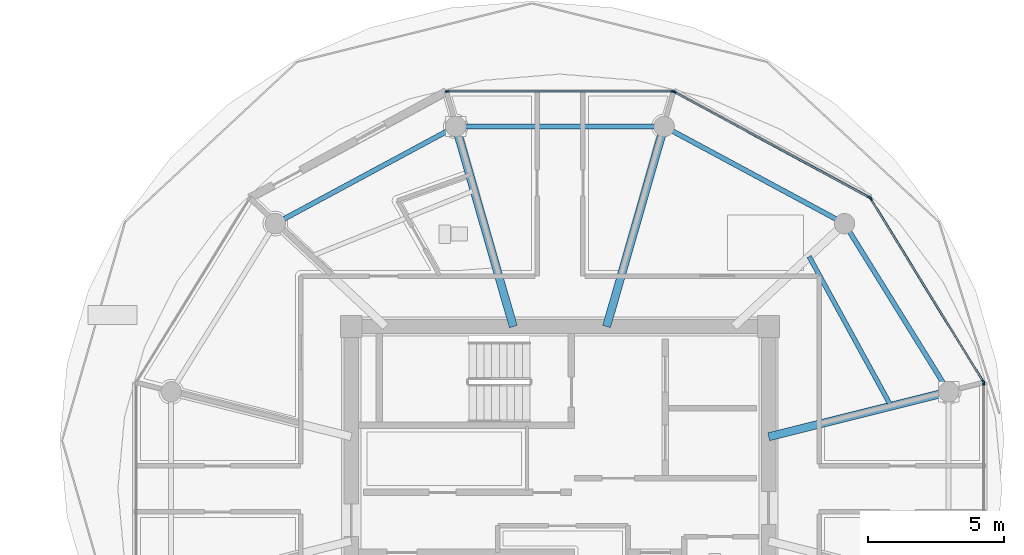
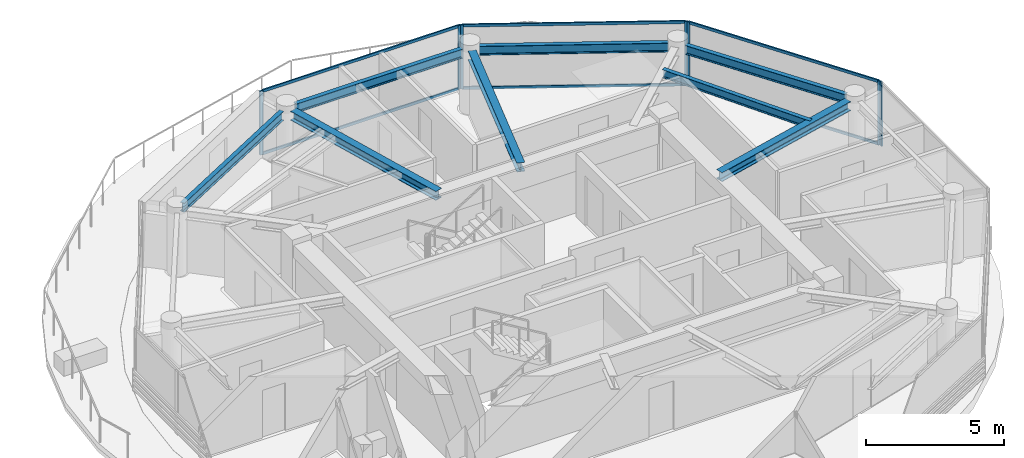
# One storey, part 7 of 28: 13 members, 8 beams, 4 elements without a shape of their own.
"""IFC4 building model written with IfcOpenShell, lengths in metres."""

from ifc_helpers import new_model, si_unit, direction, frame, origin, origin_2d, place, context, subcontext, project, spatial, rectangle, i_section, extrude, source, transform, mapped, material, layer, layer_set, material_profile, profile_set, type_object, type_shapes, element, aggregate, save


model = new_model("IFC4")

# Units and contexts
model_context = context("Model", 3, precision=1e-05, world=origin(), true_north=direction((0.0, 1.0)))
body_context = subcontext(model_context, "Body", "Model", "MODEL_VIEW")
ifc_project = project(units=[si_unit("LENGTHUNIT", "METRE"), si_unit("AREAUNIT", "SQUARE_METRE"), si_unit("VOLUMEUNIT", "CUBIC_METRE"), si_unit("PLANEANGLEUNIT", "RADIAN"), si_unit("MASSUNIT", "GRAM", prefix="KILO")], contexts=[model_context])

# Site, building, storey
site_placement = place(None, origin())
site = spatial("IfcSite", under=ifc_project, at=site_placement, CompositionType="ELEMENT")
building_placement = place(site_placement, origin())
building = spatial("IfcBuilding", under=site, at=building_placement, Name="Norrkilde Senior Care Towers", CompositionType="ELEMENT")
storey_placement = place(building_placement, frame((0.0, 0.0, 190.64990234375)))
storey = spatial("IfcBuildingStorey", under=building, at=storey_placement, Name="L59", CompositionType="ELEMENT", Elevation=190.64990234375)

# Beams
ifc_material_1 = material(Name="Steel S355", Category="steel")
ifc_material_profile_1 = material_profile(ifc_material_1, i_section(OverallWidth=0.179931640625, OverallDepth=0.39990234375, WebThickness=0.008544921875, FlangeThickness=0.013427734375, FilletRadius=0.02099609375, at=origin_2d()), Name="IPE 400")
ifc_profile_set_1 = profile_set([ifc_material_profile_1], Name="Steel S355")
beam_type_1 = type_object("IfcBeamType", Name="Perimeter Ring Spandrel Z4 IPE400", PredefinedType="SPANDREL", material=ifc_profile_set_1)
shared_shape_1 = source(origin(), body_context, "Body", "SweptSolid", [
    extrude(i_section(OverallWidth=0.179931640625, OverallDepth=0.39990234375, WebThickness=0.008544921875, FlangeThickness=0.013427734375, FilletRadius=0.02099609375, at=origin_2d()), origin(), (0.0, 0.0, 1.0), 6.58056640625),
])
beam_1_placement = place(storey_placement, frame((42.071044921875, 3.843505859375, 2.610107421875), z_axis=(-0.526529583789, 0.850156807533, 0.0), x_axis=(-0.850156807533, -0.526529583789, 0.0)))
element("IfcBeam", 1, at=beam_1_placement, inside=storey, type_object=beam_type_1, Name="L59 Drum E Perimeter Spandrel 01", PredefinedType="SPANDREL", context=body_context, shape_type="MappedRepresentation", body=[
    mapped(shared_shape_1, transform((0.0, 0.0, 0.0), x_axis=(1.0, 0.0, 0.0), y_axis=(0.0, 1.0, 0.0), z_axis=(0.0, 0.0, 1.0), scale=1.0)),
])
ifc_material_profile_2 = material_profile(ifc_material_1, i_section(OverallWidth=0.300048828125, OverallDepth=0.39990234375, WebThickness=0.013427734375, FlangeThickness=0.02392578125, FilletRadius=0.027099609375, at=origin_2d()), Name="HEB 400")
ifc_profile_set_2 = profile_set([ifc_material_profile_2], Name="Steel S355")
beam_type_2 = type_object("IfcBeamType", Name="Radial Floor Beam Z4 HEB400", PredefinedType="BEAM", material=ifc_profile_set_2)
shared_shape_2 = source(origin(), body_context, "Body", "SweptSolid", [
    extrude(i_section(OverallWidth=0.300048828125, OverallDepth=0.39990234375, WebThickness=0.013427734375, FlangeThickness=0.02392578125, FilletRadius=0.027099609375, at=origin_2d()), origin(), (0.0, 0.0, 1.0), 6.465087890625),
])
beam_2_placement = place(storey_placement, frame((35.64990234375, 1.910888671875, 2.610107421875), z_axis=(0.970195788563, 0.242322371758, 0.0), x_axis=(-0.242322371758, 0.970195788563, 0.0)))
element("IfcBeam", 2, at=beam_2_placement, inside=storey, type_object=beam_type_2, Name="L59 Drum E Radial Floor Beam 01", PredefinedType="BEAM", context=body_context, shape_type="MappedRepresentation", body=[
    mapped(shared_shape_2, transform((0.0, 0.0, 0.0), x_axis=(1.0, 0.0, 0.0), y_axis=(0.0, 1.0, 0.0), z_axis=(0.0, 0.0, 1.0), scale=1.0)),
])
shared_shape_3 = source(origin(), body_context, "Body", "SweptSolid", [
    extrude(i_section(OverallWidth=0.179931640625, OverallDepth=0.39990234375, WebThickness=0.008544921875, FlangeThickness=0.013427734375, FilletRadius=0.02099609375, at=origin_2d()), origin(), (0.0, 0.0, 1.0), 6.839111328125),
])
for number, where, z_axis, x_axis, name in (
    (3, (38.134765625, 9.881591796875, 2.610107421875), (-0.880563930732, 0.473927382511, 0.0), (-0.473927382511, -0.880563930732, 0.0), "L59 Drum E Perimeter Spandrel 02"),
    (4, (23.887451171875, 13.122802734375, 2.610107421875), (-0.880563930732, -0.473927382511, 0.0), (0.473927382511, -0.880563930732, 0.0), "L59 Drum E Perimeter Spandrel 04"),
):
    element("IfcBeam", number, at=place(storey_placement, frame(where, z_axis=z_axis, x_axis=x_axis)), inside=storey, type_object=beam_type_1, Name=name, PredefinedType="SPANDREL", context=body_context, shape_type="MappedRepresentation", body=[
        mapped(shared_shape_3, transform((0.0, 0.0, 0.0), x_axis=(1.0, 0.0, 0.0), y_axis=(0.0, 1.0, 0.0), z_axis=(0.0, 0.0, 1.0), scale=1.0)),
    ])
shared_shape_4 = source(origin(), body_context, "Body", "SweptSolid", [
    extrude(i_section(OverallWidth=0.179931640625, OverallDepth=0.39990234375, WebThickness=0.008544921875, FlangeThickness=0.013427734375, FilletRadius=0.02099609375, at=origin_2d()), origin(), (0.0, 0.0, 1.0), 6.96533203125),
])
type_shapes(beam_type_1, [shared_shape_1, shared_shape_3, shared_shape_4])
beam_3_placement = place(storey_placement, frame((31.482666015625, 13.281494140625, 2.610107421875), z_axis=(-1.0, 0.0, 0.0), x_axis=(0.0, -1.0, 0.0)))
element("IfcBeam", 5, at=beam_3_placement, inside=storey, type_object=beam_type_1, Name="L59 Drum E Perimeter Spandrel 03", PredefinedType="SPANDREL", context=body_context, shape_type="MappedRepresentation", body=[
    mapped(shared_shape_4, transform((0.0, 0.0, 0.0), x_axis=(1.0, 0.0, 0.0), y_axis=(0.0, 1.0, 0.0), z_axis=(0.0, 0.0, 1.0), scale=1.0)),
])
shared_shape_5 = source(origin(), body_context, "Body", "SweptSolid", [
    extrude(i_section(OverallWidth=0.300048828125, OverallDepth=0.39990234375, WebThickness=0.013427734375, FlangeThickness=0.02392578125, FilletRadius=0.027099609375, at=origin_2d()), origin(), (0.0, 0.0, 1.0), 7.29345703125),
])
type_shapes(beam_type_2, [shared_shape_2, shared_shape_5])
for number, where, z_axis, x_axis, name in (
    (6, (29.710205078125, 5.949951171875, 2.610107421875), (0.276263751906, 0.961081858836, 0.0), (-0.961081858836, 0.276263751906, 0.0), "L59 Drum E Radial Floor Beam 03"),
    (7, (26.289794921875, 5.949951171875, 2.610107421875), (-0.276263751906, 0.961081858836, 0.0), (-0.961081858836, -0.276263751906, 0.0), "L59 Drum E Radial Floor Beam 04"),
):
    element("IfcBeam", number, at=place(storey_placement, frame(where, z_axis=z_axis, x_axis=x_axis)), inside=storey, type_object=beam_type_2, Name=name, PredefinedType="BEAM", context=body_context, shape_type="MappedRepresentation", body=[
        mapped(shared_shape_5, transform((0.0, 0.0, 0.0), x_axis=(1.0, 0.0, 0.0), y_axis=(0.0, 1.0, 0.0), z_axis=(0.0, 0.0, 1.0), scale=1.0)),
    ])
ifc_material_profile_3 = material_profile(ifc_material_1, i_section(OverallWidth=0.169921875, OverallDepth=0.360107421875, WebThickness=0.008056640625, FlangeThickness=0.0126953125, FilletRadius=0.01806640625, at=origin_2d()), Name="IPE 360")
ifc_profile_set_3 = profile_set([ifc_material_profile_3], Name="Steel S355")
beam_type_3 = type_object("IfcBeamType", Name="Secondary Floor Joist IPE360", PredefinedType="JOIST", material=ifc_profile_set_3)
shared_shape_6 = source(origin(), body_context, "Body", "SweptSolid", [
    extrude(i_section(OverallWidth=0.169921875, OverallDepth=0.360107421875, WebThickness=0.008056640625, FlangeThickness=0.0126953125, FilletRadius=0.01806640625, at=origin_2d()), origin(), (0.0, 0.0, 1.0), 6.25146484375),
])
type_shapes(beam_type_3, [shared_shape_6])
beam_4_placement = place(storey_placement, frame((40.13623046875, 3.031494140625, 2.630126953125), z_axis=(-0.480115752653, 0.877205143655, 0.0), x_axis=(-0.877205143655, -0.480115752653, 0.0)))
element("IfcBeam", 8, at=beam_4_placement, inside=storey, type_object=beam_type_3, Name="L59 Drum E Secondary Floor Joist 1", PredefinedType="JOIST", context=body_context, shape_type="MappedRepresentation", body=[
    mapped(shared_shape_6, transform((0.0, 0.0, 0.0), x_axis=(1.0, 0.0, 0.0), y_axis=(0.0, 1.0, 0.0), z_axis=(0.0, 0.0, 1.0), scale=1.0)),
])

# Curtain wall, members
ifc_material_2 = material(Name="Triple Low-E Insulated Glazing", Category="glass")
ifc_layer = layer(ifc_material_2, 0.18505859375)
ifc_layer_set = layer_set([ifc_layer], Name="Triple Low-E Insulated Glazing")
curtain_wall_type = type_object("IfcCurtainWallType", Name="CW6 Zone 4 Crown Pavilion Curtain Wall", PredefinedType="NOTDEFINED", material=ifc_layer_set)
curtain_wall_1_placement = place(storey_placement, origin())
curtain_wall_1 = element("IfcCurtainWall", 9, at=curtain_wall_1_placement, inside=storey, type_object=curtain_wall_type, Name="L59 Drum E Curtain Wall 00", PredefinedType="NOTDEFINED")
ifc_material_3 = material(Name="Anodised Aluminium", Category="aluminium")
ifc_material_profile_4 = material_profile(ifc_material_3, rectangle(XDim=0.06494140625, YDim=0.14990234375, at=origin_2d()), Name="ALU MULL 65x150")
ifc_profile_set_4 = profile_set([ifc_material_profile_4], Name="Anodised Aluminium")
member_type_1 = type_object("IfcMemberType", Name="Curtain Wall Mullion Z3-Z4 65x150", PredefinedType="MULLION", material=ifc_profile_set_4)
shared_shape_7 = source(origin(), body_context, "Body", "SweptSolid", [
    extrude(rectangle(XDim=0.06494140625, YDim=0.14990234375, at=origin_2d()), origin(), (0.0, 0.0, 1.0), 2.81005859375),
])
type_shapes(member_type_1, [shared_shape_7])
member_1_placement = place(storey_placement, frame((39.38720703125, 10.635498046875, 0.0), z_axis=(0.0, 0.0, 1.0), x_axis=(0.851562727283, 0.524252726748, 0.0)))
member_1 = element("IfcMember", 10, at=member_1_placement, type_object=member_type_1, Name="CW-6 mullion 1", PredefinedType="MULLION", context=body_context, shape_type="MappedRepresentation", body=[
    mapped(shared_shape_7, transform((0.0, 0.0, 0.0), x_axis=(1.0, 0.0, 0.0), y_axis=(0.0, 1.0, 0.0), z_axis=(0.0, 0.0, 1.0), scale=1.0)),
])
member_2_placement = place(storey_placement, frame((43.51513671875, 3.9306640625, 0.0), z_axis=(0.0, 0.0, 1.0), x_axis=(0.851562727283, 0.524252726748, 0.0)))
member_2 = element("IfcMember", 11, at=member_2_placement, type_object=member_type_1, Name="CW-6 mullion 2", PredefinedType="MULLION", context=body_context, shape_type="MappedRepresentation", body=[
    mapped(shared_shape_7, transform((0.0, 0.0, 0.0), x_axis=(1.0, 0.0, 0.0), y_axis=(0.0, 1.0, 0.0), z_axis=(0.0, 0.0, 1.0), scale=1.0)),
])

curtain_wall_2_placement = place(storey_placement, origin())
curtain_wall_2 = element("IfcCurtainWall", 12, at=curtain_wall_2_placement, inside=storey, type_object=curtain_wall_type, Name="L59 Drum E Curtain Wall 01", PredefinedType="NOTDEFINED")
member_3_placement = place(storey_placement, frame((32.1904296875, 14.55078125, 0.0), z_axis=(0.0, 0.0, 1.0), x_axis=(0.476132676136, 0.879373455772, 0.0)))
member_3 = element("IfcMember", 13, at=member_3_placement, type_object=member_type_1, Name="CW-6 mullion 1", PredefinedType="MULLION", context=body_context, shape_type="MappedRepresentation", body=[
    mapped(shared_shape_7, transform((0.0, 0.0, 0.0), x_axis=(1.0, 0.0, 0.0), y_axis=(0.0, 1.0, 0.0), z_axis=(0.0, 0.0, 1.0), scale=1.0)),
])
member_4_placement = place(storey_placement, frame((39.341796875, 10.6787109375, 0.0), z_axis=(0.0, 0.0, 1.0), x_axis=(0.476132676136, 0.879373455772, 0.0)))
member_4 = element("IfcMember", 14, at=member_4_placement, type_object=member_type_1, Name="CW-6 mullion 2", PredefinedType="MULLION", context=body_context, shape_type="MappedRepresentation", body=[
    mapped(shared_shape_7, transform((0.0, 0.0, 0.0), x_axis=(1.0, 0.0, 0.0), y_axis=(0.0, 1.0, 0.0), z_axis=(0.0, 0.0, 1.0), scale=1.0)),
])

curtain_wall_3_placement = place(storey_placement, origin())
curtain_wall_3 = element("IfcCurtainWall", 15, at=curtain_wall_3_placement, inside=storey, type_object=curtain_wall_type, Name="L59 Drum E Curtain Wall 02", PredefinedType="NOTDEFINED")
member_5_placement = place(storey_placement, frame((23.87060546875, 14.566162109375, 0.0), z_axis=(0.0, 0.0, 1.0), x_axis=(0.0, 1.0, 0.0)))
member_5 = element("IfcMember", 16, at=member_5_placement, type_object=member_type_1, Name="CW-6 mullion 1", PredefinedType="MULLION", context=body_context, shape_type="MappedRepresentation", body=[
    mapped(shared_shape_7, transform((0.0, 0.0, 0.0), x_axis=(1.0, 0.0, 0.0), y_axis=(0.0, 1.0, 0.0), z_axis=(0.0, 0.0, 1.0), scale=1.0)),
])
member_6_placement = place(storey_placement, frame((32.12939453125, 14.566162109375, 0.0), z_axis=(0.0, 0.0, 1.0), x_axis=(0.0, 1.0, 0.0)))
member_6 = element("IfcMember", 17, at=member_6_placement, type_object=member_type_1, Name="CW-6 mullion 2", PredefinedType="MULLION", context=body_context, shape_type="MappedRepresentation", body=[
    mapped(shared_shape_7, transform((0.0, 0.0, 0.0), x_axis=(1.0, 0.0, 0.0), y_axis=(0.0, 1.0, 0.0), z_axis=(0.0, 0.0, 1.0), scale=1.0)),
])

# Curtain wall, member
curtain_wall_4_placement = place(storey_placement, origin())
curtain_wall_4 = element("IfcCurtainWall", 18, at=curtain_wall_4_placement, inside=storey, type_object=curtain_wall_type, Name="L59 Drum E Curtain Wall 11", PredefinedType="NOTDEFINED")
member_7_placement = place(storey_placement, frame((43.531982421875, 3.87060546875, 0.0), z_axis=(0.0, 0.0, 1.0), x_axis=(1.0, 0.0, 0.0)))
member_7 = element("IfcMember", 19, at=member_7_placement, type_object=member_type_1, Name="CW-6 mullion 1", PredefinedType="MULLION", context=body_context, shape_type="MappedRepresentation", body=[
    mapped(shared_shape_7, transform((0.0, 0.0, 0.0), x_axis=(1.0, 0.0, 0.0), y_axis=(0.0, 1.0, 0.0), z_axis=(0.0, 0.0, 1.0), scale=1.0)),
])
aggregate(curtain_wall_4, [member_7])

# Member
ifc_material_profile_5 = material_profile(ifc_material_3, rectangle(XDim=0.06005859375, YDim=0.1201171875, at=origin_2d()), Name="ALU TRAN 60x120")
ifc_profile_set_5 = profile_set([ifc_material_profile_5], Name="Anodised Aluminium")
member_type_2 = type_object("IfcMemberType", Name="Curtain Wall Transom Typical 60x120", PredefinedType="USERDEFINED", material=ifc_profile_set_5)
shared_shape_8 = source(origin(), body_context, "Body", "SweptSolid", [
    extrude(rectangle(XDim=0.06005859375, YDim=0.1201171875, at=origin_2d()), origin(), (0.0, 0.0, 1.0), 7.808837890625),
])
member_8_placement = place(storey_placement, frame((39.404296875, 10.60791015625, 0.030029296875), z_axis=(0.524250924101, -0.851563837055, 0.0), x_axis=(0.851563837055, 0.524250924101, 0.0)))
member_8 = element("IfcMember", 20, at=member_8_placement, type_object=member_type_2, Name="CW-6 transom 1.1", ObjectType="TRANSOM", PredefinedType="USERDEFINED", context=body_context, shape_type="MappedRepresentation", body=[
    mapped(shared_shape_8, transform((0.0, 0.0, 0.0), x_axis=(1.0, 0.0, 0.0), y_axis=(0.0, 1.0, 0.0), z_axis=(0.0, 0.0, 1.0), scale=1.0)),
])

member_9_placement = place(storey_placement, frame((39.404296875, 10.60791015625, 2.780029296875), z_axis=(0.524250924101, -0.851563837055, 0.0), x_axis=(0.851563837055, 0.524250924101, 0.0)))
member_9 = element("IfcMember", 21, at=member_9_placement, type_object=member_type_2, Name="CW-6 transom 1.2", ObjectType="TRANSOM", PredefinedType="USERDEFINED", context=body_context, shape_type="MappedRepresentation", body=[
    mapped(shared_shape_8, transform((0.0, 0.0, 0.0), x_axis=(1.0, 0.0, 0.0), y_axis=(0.0, 1.0, 0.0), z_axis=(0.0, 0.0, 1.0), scale=1.0)),
])

aggregate(curtain_wall_1, [member_1, member_2, member_8, member_9])

shared_shape_9 = source(origin(), body_context, "Body", "SweptSolid", [
    extrude(rectangle(XDim=0.06005859375, YDim=0.1201171875, at=origin_2d()), origin(), (0.0, 0.0, 1.0), 8.19384765625),
])
member_10_placement = place(storey_placement, frame((23.903076171875, 14.566162109375, 0.030029296875), z_axis=(1.0, 0.0, 0.0), x_axis=(0.0, 1.0, 0.0)))
member_10 = element("IfcMember", 22, at=member_10_placement, type_object=member_type_2, Name="CW-6 transom 1.1", ObjectType="TRANSOM", PredefinedType="USERDEFINED", context=body_context, shape_type="MappedRepresentation", body=[
    mapped(shared_shape_9, transform((0.0, 0.0, 0.0), x_axis=(1.0, 0.0, 0.0), y_axis=(0.0, 1.0, 0.0), z_axis=(0.0, 0.0, 1.0), scale=1.0)),
])

member_11_placement = place(storey_placement, frame((23.903076171875, 14.566162109375, 2.780029296875), z_axis=(1.0, 0.0, 0.0), x_axis=(0.0, 1.0, 0.0)))
member_11 = element("IfcMember", 23, at=member_11_placement, type_object=member_type_2, Name="CW-6 transom 1.2", ObjectType="TRANSOM", PredefinedType="USERDEFINED", context=body_context, shape_type="MappedRepresentation", body=[
    mapped(shared_shape_9, transform((0.0, 0.0, 0.0), x_axis=(1.0, 0.0, 0.0), y_axis=(0.0, 1.0, 0.0), z_axis=(0.0, 0.0, 1.0), scale=1.0)),
])

aggregate(curtain_wall_3, [member_5, member_6, member_10, member_11])

shared_shape_10 = source(origin(), body_context, "Body", "SweptSolid", [
    extrude(rectangle(XDim=0.06005859375, YDim=0.1201171875, at=origin_2d()), origin(), (0.0, 0.0, 1.0), 8.0673828125),
])
type_shapes(member_type_2, [shared_shape_8, shared_shape_9, shared_shape_10])
member_12_placement = place(storey_placement, frame((32.218994140625, 14.53515625, 0.030029296875), z_axis=(0.87937750072, -0.476125205411, 0.0), x_axis=(0.476125205411, 0.87937750072, 0.0)))
member_12 = element("IfcMember", 24, at=member_12_placement, type_object=member_type_2, Name="CW-6 transom 1.1", ObjectType="TRANSOM", PredefinedType="USERDEFINED", context=body_context, shape_type="MappedRepresentation", body=[
    mapped(shared_shape_10, transform((0.0, 0.0, 0.0), x_axis=(1.0, 0.0, 0.0), y_axis=(0.0, 1.0, 0.0), z_axis=(0.0, 0.0, 1.0), scale=1.0)),
])

member_13_placement = place(storey_placement, frame((32.218994140625, 14.53515625, 2.780029296875), z_axis=(0.87937750072, -0.476125205411, 0.0), x_axis=(0.476125205411, 0.87937750072, 0.0)))
member_13 = element("IfcMember", 25, at=member_13_placement, type_object=member_type_2, Name="CW-6 transom 1.2", ObjectType="TRANSOM", PredefinedType="USERDEFINED", context=body_context, shape_type="MappedRepresentation", body=[
    mapped(shared_shape_10, transform((0.0, 0.0, 0.0), x_axis=(1.0, 0.0, 0.0), y_axis=(0.0, 1.0, 0.0), z_axis=(0.0, 0.0, 1.0), scale=1.0)),
])

aggregate(curtain_wall_2, [member_3, member_4, member_12, member_13])

save(model, "model.ifc")
